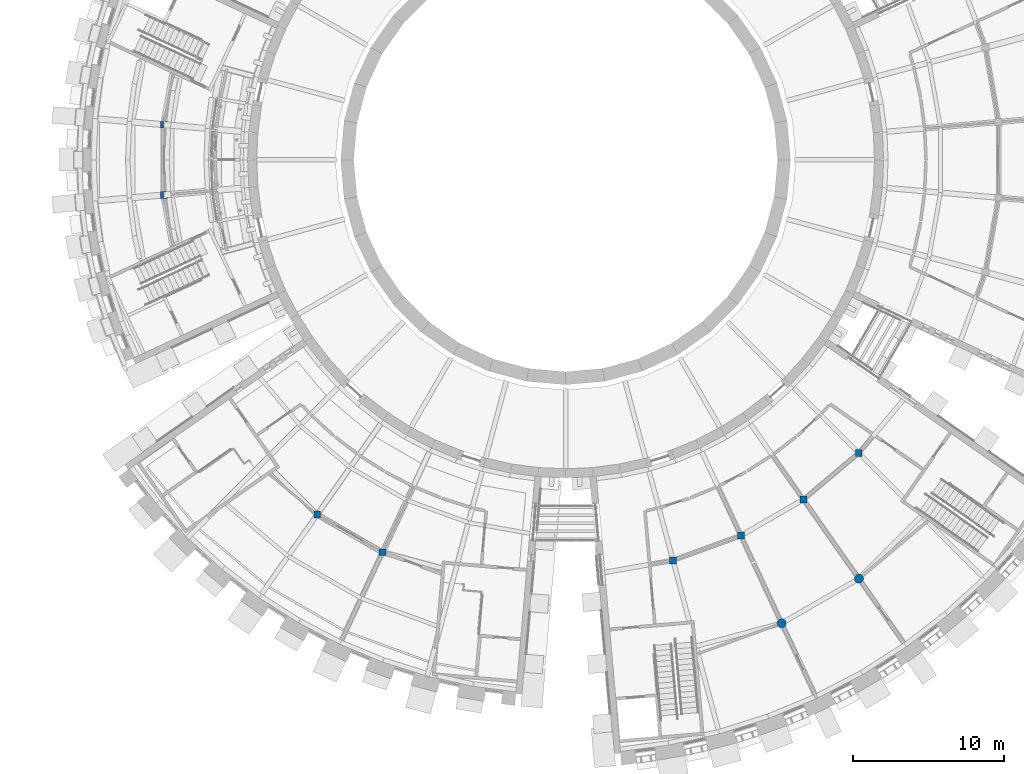
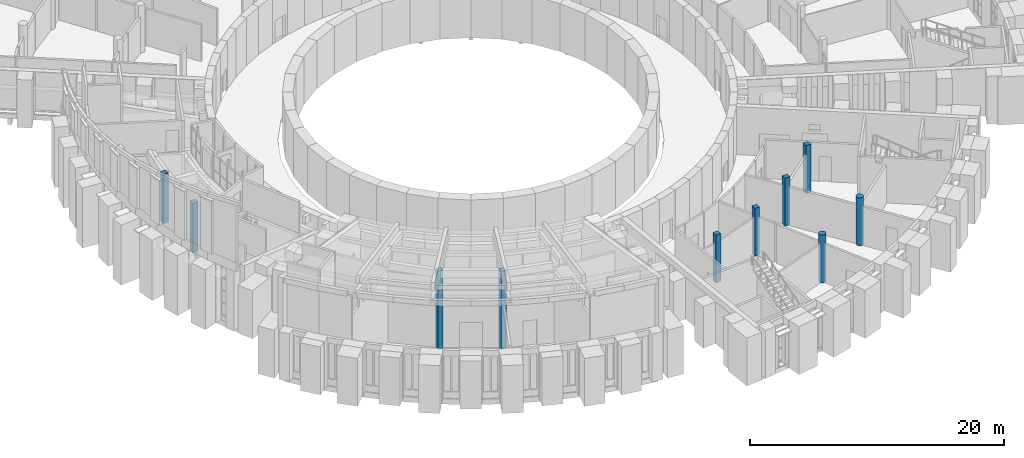
# One storey, part 1 of 66: 10 columns.
"""IFC4 building model written with IfcOpenShell, lengths in metres."""

import ifcopenshell
import ifcopenshell.guid

model = None  # the IFC model being written
_history = None  # IfcOwnerHistory: only IFC2X3 demands one
_inside = {}  # id of a spatial element -> (the spatial element, [elements in it])
_under = {}  # id of a project, library or spatial element -> (it, [spatial elements below it])
_declared = {}  # id of a project -> (the project, [libraries it declares])
_typed = {}  # id of a type object -> (the type object, [elements of that type])
_made_of = {}  # id of a material, layer set ... -> (it, [elements and type objects made of it])


def new_model(schema):
    """Start an empty IFC model of exactly this schema.

    Asked for "IFC4X3", IfcOpenShell would pick the latest addendum, in which some entities
    have other attributes; the version numbers below select the first issue.
    IFC2X3 requires an IfcOwnerHistory on every rooted entity: one is made here for all.
    """
    global model, _history
    if schema == "IFC4X3":
        model = ifcopenshell.file(schema_version=(4, 3, 0, 0))
    else:
        model = ifcopenshell.file(schema=schema)
    _inside.clear()
    _under.clear()
    _declared.clear()
    _typed.clear()
    _made_of.clear()
    _history = None
    if model.schema == "IFC2X3":
        org = make("IfcOrganization", Name="unknown")
        user = make(
            "IfcPersonAndOrganization",
            ThePerson=make("IfcPerson", FamilyName="unknown"),
            TheOrganization=org,
        )
        app = make(
            "IfcApplication",
            ApplicationDeveloper=org,
            Version="unknown",
            ApplicationFullName="unknown",
            ApplicationIdentifier="unknown",
        )
        _history = make(
            "IfcOwnerHistory",
            OwningUser=user,
            OwningApplication=app,
            ChangeAction="ADDED",
            CreationDate=0,
        )
    return model


def make(cls, **values):
    """One entity of the class cls with the attributes given. An attribute that is None is left unset."""
    return model.create_entity(
        cls, **{name: value for name, value in values.items() if value is not None}
    )


def rooted(cls, **values):
    """An entity with a GlobalId (a new one), such as an element, a storey or a relation."""
    return make(cls, GlobalId=ifcopenshell.guid.new(), OwnerHistory=_history, **values)


def si_unit(unit_type, name, prefix=None):
    """IfcSIUnit, for example si_unit("LENGTHUNIT", "METRE", prefix="MILLI")."""
    return make("IfcSIUnit", UnitType=unit_type, Prefix=prefix, Name=name)


def assignment(units):
    """IfcUnitAssignment: the units of a project."""
    return None if units is None else make("IfcUnitAssignment", Units=units)


def point(xyz):
    """IfcCartesianPoint."""
    return None if xyz is None else make("IfcCartesianPoint", Coordinates=xyz)


def direction(xyz):
    """IfcDirection."""
    return None if xyz is None else make("IfcDirection", DirectionRatios=xyz)


def frame(location, z_axis=None, x_axis=None):
    """IfcAxis2Placement3D, a coordinate frame: its origin and axes. An axis left out is left unset."""
    return make(
        "IfcAxis2Placement3D",
        Location=point(location),
        Axis=direction(z_axis),
        RefDirection=direction(x_axis),
    )


def frame_2d(location, x_axis=None):
    """IfcAxis2Placement2D, a coordinate frame in the plane: its origin and x axis."""
    return make(
        "IfcAxis2Placement2D", Location=point(location), RefDirection=direction(x_axis)
    )


def origin():
    """The frame at (0, 0, 0) with its axes left unset."""
    return frame((0.0, 0.0, 0.0))


def origin_2d():
    """The frame at (0, 0) in the plane with its x axis left unset."""
    return frame_2d((0.0, 0.0))


def place(relative_to, where):
    """IfcLocalPlacement: puts the frame where relative to a parent placement (None: the world)."""
    return make(
        "IfcLocalPlacement", PlacementRelTo=relative_to, RelativePlacement=where
    )


def context(
    kind, dimensions, precision=None, world=None, true_north=None, identifier=None
):
    """IfcGeometricRepresentationContext, for example the 3D "Model" context."""
    return make(
        "IfcGeometricRepresentationContext",
        ContextIdentifier=identifier,
        ContextType=kind,
        CoordinateSpaceDimension=dimensions,
        Precision=precision,
        WorldCoordinateSystem=world,
        TrueNorth=true_north,
    )


def subcontext(parent, identifier, kind, view, scale=None):
    """IfcGeometricRepresentationSubContext, for example "Body" below "Model"."""
    return make(
        "IfcGeometricRepresentationSubContext",
        ContextIdentifier=identifier,
        ContextType=kind,
        ParentContext=parent,
        TargetScale=scale,
        TargetView=view,
    )


def project(units=None, contexts=None):
    """IfcProject with its units and contexts."""
    return rooted(
        "IfcProject",
        Name="project",
        RepresentationContexts=contexts,
        UnitsInContext=assignment(units),
    )


def spatial(cls, under=None, at=None, **own):
    """A site, building, storey or space (cls), placed at a placement, below another one or the project."""
    s = rooted(cls, ObjectPlacement=at, **own)
    if under is not None:
        _under.setdefault(under.id(), (under, []))[1].append(s)
    return s


def profile(cls, at=None, kind="AREA", **sizes):
    """A parametric profile (cls). Its sizes go by their IFC names, for example OverallWidth=200.0."""
    return make(cls, ProfileType=kind, Position=at, **sizes)


def rectangle(**sizes):
    """IfcRectangleProfileDef."""
    return profile("IfcRectangleProfileDef", **sizes)


def circle(**sizes):
    """IfcCircleProfileDef."""
    return profile("IfcCircleProfileDef", **sizes)


def extrude(swept, where, along, depth):
    """IfcExtrudedAreaSolid: the profile swept, set in the frame where, extruded along a direction by depth."""
    return make(
        "IfcExtrudedAreaSolid",
        SweptArea=swept,
        Position=where,
        ExtrudedDirection=direction(along),
        Depth=depth,
    )


def shape(context_of_items, identifier, shape_type, items):
    """IfcShapeRepresentation: the items that make up one representation, for example the "Body"."""
    return make(
        "IfcShapeRepresentation",
        ContextOfItems=context_of_items,
        RepresentationIdentifier=identifier,
        RepresentationType=shape_type,
        Items=items,
    )


def material(Name=None, Category=None):
    """IfcMaterial."""
    return make("IfcMaterial", Name=Name, Category=Category)


def material_profile(
    of_material, cross_section, Name=None, Category=None, Priority=None
):
    """IfcMaterialProfile: a cross section and its material."""
    return make(
        "IfcMaterialProfile",
        Name=Name,
        Material=of_material,
        Profile=cross_section,
        Priority=Priority,
        Category=Category,
    )


def profile_set(profiles, Name=None, composite=None):
    """IfcMaterialProfileSet."""
    return make(
        "IfcMaterialProfileSet",
        Name=Name,
        MaterialProfiles=profiles,
        CompositeProfile=composite,
    )


def made_of(thing, what):
    """Note that an element or type object is made of a material, layer set ...; save() writes the relation."""
    if what is not None:
        _made_of.setdefault(what.id(), (what, []))[1].append(thing)
    return thing


def type_object(cls, material=None, **own):
    """A type object (cls), such as IfcWallType, which elements share."""
    return made_of(rooted(cls, **own), material)


def element(
    cls,
    number,
    at=None,
    inside=None,
    cuts=None,
    type_object=None,
    material=None,
    context=None,
    identifier="Body",
    shape_type=None,
    held_by="IfcProductDefinitionShape",
    body=None,
    shapes=None,
    **own,
):
    """One element of the class cls, such as IfcWall. Its Tag is "e" and its number.

    at: its placement. inside: the storey or other place that contains it. cuts: it is an
    opening in that element (IfcRelVoidsElement). A single representation is given by context,
    identifier, shape_type and body (its items); several are given by shapes. held_by: the class
    of the entity that holds the representations. save() writes the other relations.
    """
    e = rooted(cls, Tag="e%d" % number, ObjectPlacement=at, **own)
    if body is not None:
        shapes = [shape(context, identifier, shape_type, body)]
    if shapes is not None:
        e.Representation = make(held_by, Representations=shapes)
    if inside is not None:
        _inside.setdefault(inside.id(), (inside, []))[1].append(e)
    if cuts is not None:
        rooted(
            "IfcRelVoidsElement", RelatingBuildingElement=cuts, RelatedOpeningElement=e
        )
    if type_object is not None:
        _typed.setdefault(type_object.id(), (type_object, []))[1].append(e)
    return made_of(e, material)


def aggregate(whole, parts):
    """IfcRelAggregates: a whole, such as a stair, and the parts it consists of."""
    return rooted("IfcRelAggregates", RelatingObject=whole, RelatedObjects=parts)


def save(model, path):
    """Write the relations noted so far, then the file.

    IfcRelAggregates (storeys below a building ...), IfcRelContainedInSpatialStructure (elements
    in a storey), IfcRelDefinesByType, IfcRelAssociatesMaterial and IfcRelDeclares: one each for
    every whole, place, type object, material and project.
    """
    for whole, parts in _under.values():
        aggregate(whole, parts)
    for where, things in _inside.values():
        rooted(
            "IfcRelContainedInSpatialStructure",
            RelatedElements=things,
            RelatingStructure=where,
        )
    for kind, things in _typed.values():
        rooted("IfcRelDefinesByType", RelatedObjects=things, RelatingType=kind)
    for what, things in _made_of.values():
        rooted("IfcRelAssociatesMaterial", RelatedObjects=things, RelatingMaterial=what)
    for by, libraries in _declared.values():
        rooted("IfcRelDeclares", RelatingContext=by, RelatedDefinitions=libraries)
    model.write(path)


model = new_model("IFC4")

# Units and contexts
model_context = context("Model", 3, precision=1e-05, world=origin(), true_north=direction((0.0, 1.0)))
body_context = subcontext(model_context, "Body", "Model", "MODEL_VIEW")
ifc_project = project(units=[si_unit("LENGTHUNIT", "METRE"), si_unit("AREAUNIT", "SQUARE_METRE"), si_unit("VOLUMEUNIT", "CUBIC_METRE"), si_unit("PLANEANGLEUNIT", "RADIAN"), si_unit("MASSUNIT", "GRAM", prefix="KILO")], contexts=[model_context])

# Site, building, storey
site_placement = place(None, origin())
site = spatial("IfcSite", under=ifc_project, at=site_placement, CompositionType="ELEMENT")
building_placement = place(site_placement, origin())
building = spatial("IfcBuilding", under=site, at=building_placement, Name="Volute Hill Aquarium", CompositionType="ELEMENT")
storey_placement = place(building_placement, frame((0.0, 0.0, 4.60009765625)))
storey = spatial("IfcBuildingStorey", under=building, at=storey_placement, Name="L02", CompositionType="ELEMENT", Elevation=4.60009765625)

# Columns
ifc_material_1 = material(Name="Concrete C35/45", Category="concrete")
ifc_material_profile_1 = material_profile(ifc_material_1, rectangle(XDim=0.449951171875, YDim=0.449951171875, at=origin_2d()), Name="RC column 450x450")
ifc_profile_set_1 = profile_set([ifc_material_profile_1], Name="Concrete C35/45")
column_type_1 = type_object("IfcColumnType", Name="Column column 450x450 C35/45", PredefinedType="COLUMN", material=ifc_profile_set_1)
for number, where, z_axis, x_axis, name in (
    (1, (-26.523681640625, 2.320556640625, 0.0), (0.0, 0.0, 1.0), (1.0, 0.0, 0.0), "col/S1/L02/1.2"),
    (2, (-26.523681640625, -2.320556640625, 0.0), (0.0, 0.0, 1.0), (1.0, 0.0, 0.0), "col/S1/L02/1.3"),
):
    element("IfcColumn", number, at=place(storey_placement, frame(where, z_axis=z_axis, x_axis=x_axis)), inside=storey, type_object=column_type_1, Name=name, PredefinedType="COLUMN", context=body_context, shape_type="SweptSolid", body=[
        extrude(rectangle(XDim=0.449951171875, YDim=0.449951171875, at=origin_2d()), origin(), (0.0, 0.0, 1.0), 4.787841796875),
    ])
for number, where, z_axis, x_axis, name in (
    (3, (-16.404296875, -23.427734375, 0.0), (0.0, 0.0, 1.0), (1.0, 0.0, 0.0), "col/S2/L02/1.2"),
    (4, (-12.0869140625, -25.92041015625, 0.0), (0.0, 0.0, 1.0), (1.0, 0.0, 0.0), "col/S2/L02/1.3"),
):
    element("IfcColumn", number, at=place(storey_placement, frame(where, z_axis=z_axis, x_axis=x_axis)), inside=storey, type_object=column_type_1, Name=name, PredefinedType="COLUMN", context=body_context, shape_type="SweptSolid", body=[
        extrude(rectangle(XDim=0.449951171875, YDim=0.449951171875, at=origin_2d()), origin(), (0.0, 0.0, 1.0), 7.49560546875),
    ])
for number, where, z_axis, x_axis, name in (
    (5, (7.08740234375, -26.4501953125, 0.0), (0.0, 0.0, 1.0), (1.0, 0.0, 0.0), "col/S3/L02/1.1"),
    (6, (11.57275390625, -24.817626953125, 0.0), (0.0, 0.0, 1.0), (1.0, 0.0, 0.0), "col/S3/L02/1.2"),
    (7, (15.706298828125, -22.43115234375, 0.0), (0.0, 0.0, 1.0), (1.0, 0.0, 0.0), "col/S3/L02/1.3"),
    (8, (19.36279296875, -19.36279296875, 0.0), (0.0, 0.0, 1.0), (1.0, 0.0, 0.0), "col/S3/L02/1.4"),
):
    element("IfcColumn", number, at=place(storey_placement, frame(where, z_axis=z_axis, x_axis=x_axis)), inside=storey, type_object=column_type_1, Name=name, PredefinedType="COLUMN", context=body_context, shape_type="SweptSolid", body=[
        extrude(rectangle(XDim=0.449951171875, YDim=0.449951171875, at=origin_2d()), origin(), (0.0, 0.0, 1.0), 4.599853515625),
    ])
ifc_material_2 = material(Name="Concrete C35/45", Category="concrete")
ifc_material_profile_2 = material_profile(ifc_material_2, circle(Radius=0.300048828125, at=origin_2d()), Name="RC round column D600")
ifc_profile_set_2 = profile_set([ifc_material_profile_2], Name="Concrete C35/45")
column_type_2 = type_object("IfcColumnType", Name="Column round column D600 C35/45", PredefinedType="COLUMN", material=ifc_profile_set_2)
for number, where, z_axis, x_axis, name in (
    (9, (14.2705078125, -30.60302734375, 0.0), (0.0, 0.0, 1.0), (1.0, 0.0, 0.0), "col/S3/L02/2.2"),
    (10, (19.367919921875, -27.66015625, 0.0), (0.0, 0.0, 1.0), (1.0, 0.0, 0.0), "col/S3/L02/2.3"),
):
    element("IfcColumn", number, at=place(storey_placement, frame(where, z_axis=z_axis, x_axis=x_axis)), inside=storey, type_object=column_type_2, Name=name, PredefinedType="COLUMN", context=body_context, shape_type="SweptSolid", body=[
        extrude(circle(Radius=0.300048828125, at=origin_2d()), origin(), (0.0, 0.0, 1.0), 4.599853515625),
    ])

save(model, "model.ifc")
